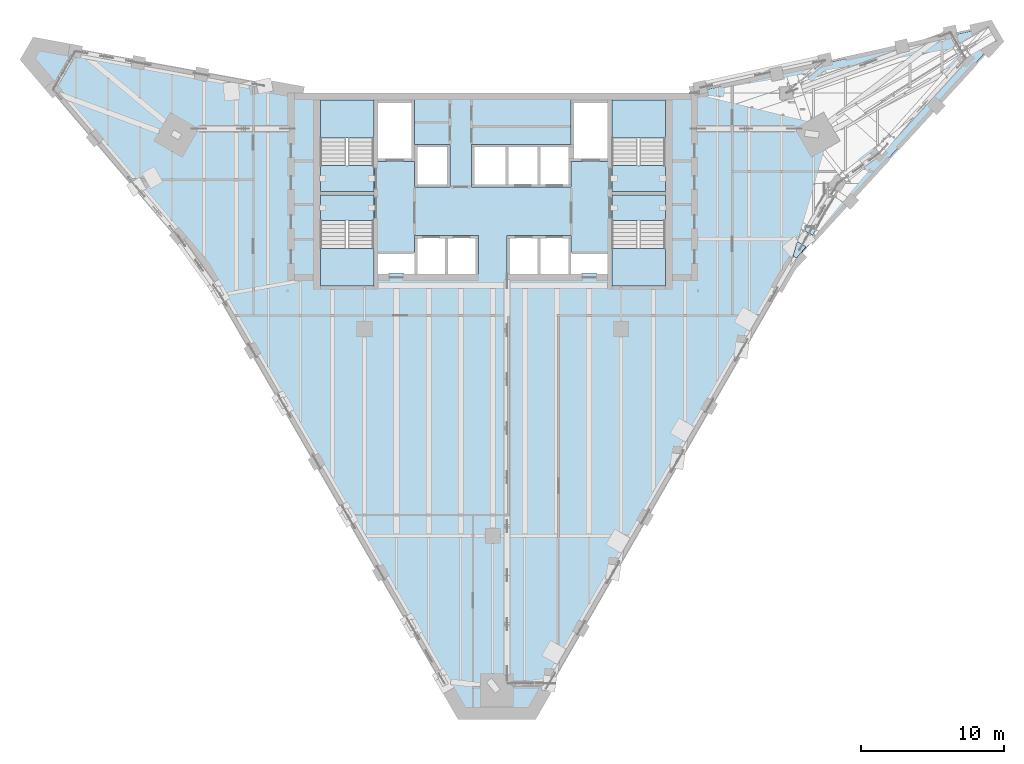
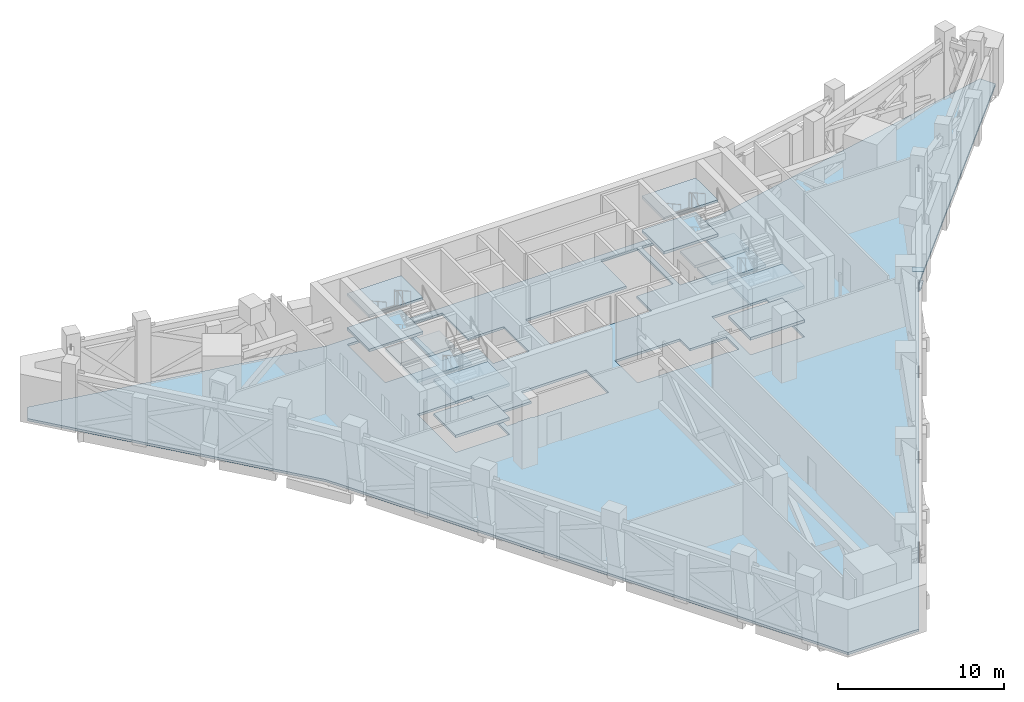
# One storey, part 7 of 23: 13 slabs, 2 plates, 4 elements without a shape of their own.
"""IFC4 building model written with IfcOpenShell, lengths in metres."""

import ifcopenshell
import ifcopenshell.guid

model = None  # the IFC model being written
_history = None  # IfcOwnerHistory: only IFC2X3 demands one
_inside = {}  # id of a spatial element -> (the spatial element, [elements in it])
_under = {}  # id of a project, library or spatial element -> (it, [spatial elements below it])
_declared = {}  # id of a project -> (the project, [libraries it declares])
_typed = {}  # id of a type object -> (the type object, [elements of that type])
_made_of = {}  # id of a material, layer set ... -> (it, [elements and type objects made of it])


def new_model(schema):
    """Start an empty IFC model of exactly this schema.

    Asked for "IFC4X3", IfcOpenShell would pick the latest addendum, in which some entities
    have other attributes; the version numbers below select the first issue.
    IFC2X3 requires an IfcOwnerHistory on every rooted entity: one is made here for all.
    """
    global model, _history
    if schema == "IFC4X3":
        model = ifcopenshell.file(schema_version=(4, 3, 0, 0))
    else:
        model = ifcopenshell.file(schema=schema)
    _inside.clear()
    _under.clear()
    _declared.clear()
    _typed.clear()
    _made_of.clear()
    _history = None
    if model.schema == "IFC2X3":
        org = make("IfcOrganization", Name="unknown")
        user = make(
            "IfcPersonAndOrganization",
            ThePerson=make("IfcPerson", FamilyName="unknown"),
            TheOrganization=org,
        )
        app = make(
            "IfcApplication",
            ApplicationDeveloper=org,
            Version="unknown",
            ApplicationFullName="unknown",
            ApplicationIdentifier="unknown",
        )
        _history = make(
            "IfcOwnerHistory",
            OwningUser=user,
            OwningApplication=app,
            ChangeAction="ADDED",
            CreationDate=0,
        )
    return model


def make(cls, **values):
    """One entity of the class cls with the attributes given. An attribute that is None is left unset."""
    return model.create_entity(
        cls, **{name: value for name, value in values.items() if value is not None}
    )


def rooted(cls, **values):
    """An entity with a GlobalId (a new one), such as an element, a storey or a relation."""
    return make(cls, GlobalId=ifcopenshell.guid.new(), OwnerHistory=_history, **values)


def si_unit(unit_type, name, prefix=None):
    """IfcSIUnit, for example si_unit("LENGTHUNIT", "METRE", prefix="MILLI")."""
    return make("IfcSIUnit", UnitType=unit_type, Prefix=prefix, Name=name)


def assignment(units):
    """IfcUnitAssignment: the units of a project."""
    return None if units is None else make("IfcUnitAssignment", Units=units)


def point(xyz):
    """IfcCartesianPoint."""
    return None if xyz is None else make("IfcCartesianPoint", Coordinates=xyz)


def direction(xyz):
    """IfcDirection."""
    return None if xyz is None else make("IfcDirection", DirectionRatios=xyz)


def frame(location, z_axis=None, x_axis=None):
    """IfcAxis2Placement3D, a coordinate frame: its origin and axes. An axis left out is left unset."""
    return make(
        "IfcAxis2Placement3D",
        Location=point(location),
        Axis=direction(z_axis),
        RefDirection=direction(x_axis),
    )


def origin():
    """The frame at (0, 0, 0) with its axes left unset."""
    return frame((0.0, 0.0, 0.0))


def place(relative_to, where):
    """IfcLocalPlacement: puts the frame where relative to a parent placement (None: the world)."""
    return make(
        "IfcLocalPlacement", PlacementRelTo=relative_to, RelativePlacement=where
    )


def context(
    kind, dimensions, precision=None, world=None, true_north=None, identifier=None
):
    """IfcGeometricRepresentationContext, for example the 3D "Model" context."""
    return make(
        "IfcGeometricRepresentationContext",
        ContextIdentifier=identifier,
        ContextType=kind,
        CoordinateSpaceDimension=dimensions,
        Precision=precision,
        WorldCoordinateSystem=world,
        TrueNorth=true_north,
    )


def subcontext(parent, identifier, kind, view, scale=None):
    """IfcGeometricRepresentationSubContext, for example "Body" below "Model"."""
    return make(
        "IfcGeometricRepresentationSubContext",
        ContextIdentifier=identifier,
        ContextType=kind,
        ParentContext=parent,
        TargetScale=scale,
        TargetView=view,
    )


def project(units=None, contexts=None):
    """IfcProject with its units and contexts."""
    return rooted(
        "IfcProject",
        Name="project",
        RepresentationContexts=contexts,
        UnitsInContext=assignment(units),
    )


def spatial(cls, under=None, at=None, **own):
    """A site, building, storey or space (cls), placed at a placement, below another one or the project."""
    s = rooted(cls, ObjectPlacement=at, **own)
    if under is not None:
        _under.setdefault(under.id(), (under, []))[1].append(s)
    return s


def polyline(points):
    """IfcPolyline through the points."""
    return make("IfcPolyline", Points=[point(p) for p in points])


def outline(outer, holes=None, kind="AREA"):
    """IfcArbitraryClosedProfileDef: a profile drawn as a closed curve; with holes, ...WithVoids."""
    if holes is None:
        return make("IfcArbitraryClosedProfileDef", ProfileType=kind, OuterCurve=outer)
    return make(
        "IfcArbitraryProfileDefWithVoids",
        ProfileType=kind,
        OuterCurve=outer,
        InnerCurves=holes,
    )


def extrude(swept, where, along, depth):
    """IfcExtrudedAreaSolid: the profile swept, set in the frame where, extruded along a direction by depth."""
    return make(
        "IfcExtrudedAreaSolid",
        SweptArea=swept,
        Position=where,
        ExtrudedDirection=direction(along),
        Depth=depth,
    )


def shape(context_of_items, identifier, shape_type, items):
    """IfcShapeRepresentation: the items that make up one representation, for example the "Body"."""
    return make(
        "IfcShapeRepresentation",
        ContextOfItems=context_of_items,
        RepresentationIdentifier=identifier,
        RepresentationType=shape_type,
        Items=items,
    )


def material(Name=None, Category=None):
    """IfcMaterial."""
    return make("IfcMaterial", Name=Name, Category=Category)


def layer(
    of_material, thickness, ventilated=None, Name=None, Category=None, Priority=None
):
    """IfcMaterialLayer: one layer of a wall or slab, of a material (None: an air gap)."""
    return make(
        "IfcMaterialLayer",
        Material=of_material,
        LayerThickness=thickness,
        IsVentilated=ventilated,
        Name=Name,
        Category=Category,
        Priority=Priority,
    )


def layer_set(layers, Name=None):
    """IfcMaterialLayerSet."""
    return make("IfcMaterialLayerSet", MaterialLayers=layers, LayerSetName=Name)


def made_of(thing, what):
    """Note that an element or type object is made of a material, layer set ...; save() writes the relation."""
    if what is not None:
        _made_of.setdefault(what.id(), (what, []))[1].append(thing)
    return thing


def type_object(cls, material=None, **own):
    """A type object (cls), such as IfcWallType, which elements share."""
    return made_of(rooted(cls, **own), material)


def element(
    cls,
    number,
    at=None,
    inside=None,
    cuts=None,
    type_object=None,
    material=None,
    context=None,
    identifier="Body",
    shape_type=None,
    held_by="IfcProductDefinitionShape",
    body=None,
    shapes=None,
    **own,
):
    """One element of the class cls, such as IfcWall. Its Tag is "e" and its number.

    at: its placement. inside: the storey or other place that contains it. cuts: it is an
    opening in that element (IfcRelVoidsElement). A single representation is given by context,
    identifier, shape_type and body (its items); several are given by shapes. held_by: the class
    of the entity that holds the representations. save() writes the other relations.
    """
    e = rooted(cls, Tag="e%d" % number, ObjectPlacement=at, **own)
    if body is not None:
        shapes = [shape(context, identifier, shape_type, body)]
    if shapes is not None:
        e.Representation = make(held_by, Representations=shapes)
    if inside is not None:
        _inside.setdefault(inside.id(), (inside, []))[1].append(e)
    if cuts is not None:
        rooted(
            "IfcRelVoidsElement", RelatingBuildingElement=cuts, RelatedOpeningElement=e
        )
    if type_object is not None:
        _typed.setdefault(type_object.id(), (type_object, []))[1].append(e)
    return made_of(e, material)


def aggregate(whole, parts):
    """IfcRelAggregates: a whole, such as a stair, and the parts it consists of."""
    return rooted("IfcRelAggregates", RelatingObject=whole, RelatedObjects=parts)


def save(model, path):
    """Write the relations noted so far, then the file.

    IfcRelAggregates (storeys below a building ...), IfcRelContainedInSpatialStructure (elements
    in a storey), IfcRelDefinesByType, IfcRelAssociatesMaterial and IfcRelDeclares: one each for
    every whole, place, type object, material and project.
    """
    for whole, parts in _under.values():
        aggregate(whole, parts)
    for where, things in _inside.values():
        rooted(
            "IfcRelContainedInSpatialStructure",
            RelatedElements=things,
            RelatingStructure=where,
        )
    for kind, things in _typed.values():
        rooted("IfcRelDefinesByType", RelatedObjects=things, RelatingType=kind)
    for what, things in _made_of.values():
        rooted("IfcRelAssociatesMaterial", RelatedObjects=things, RelatingMaterial=what)
    for by, libraries in _declared.values():
        rooted("IfcRelDeclares", RelatingContext=by, RelatedDefinitions=libraries)
    model.write(path)


model = new_model("IFC4")

# Units and contexts
model_context = context("Model", 3, precision=1e-05, world=origin(), true_north=direction((0.0, 1.0)))
body_context = subcontext(model_context, "Body", "Model", "MODEL_VIEW")
ifc_project = project(units=[si_unit("LENGTHUNIT", "METRE"), si_unit("AREAUNIT", "SQUARE_METRE"), si_unit("VOLUMEUNIT", "CUBIC_METRE"), si_unit("PLANEANGLEUNIT", "RADIAN"), si_unit("MASSUNIT", "GRAM", prefix="KILO")], contexts=[model_context])

# Site, building, storey
site_placement = place(None, origin())
site = spatial("IfcSite", under=ifc_project, at=site_placement, CompositionType="ELEMENT")
building_placement = place(site_placement, origin())
building = spatial("IfcBuilding", under=site, at=building_placement, Name="Calabash Gate Tower", CompositionType="ELEMENT")
storey_placement = place(building_placement, frame((0.0, 0.0, 243.199951171875)))
storey = spatial("IfcBuildingStorey", under=building, at=storey_placement, Name="L58", CompositionType="ELEMENT", Elevation=243.199951171875)

# Slab
ifc_material_1 = material(Name="Concrete C40/50", Category="concrete")
ifc_layer_1 = layer(ifc_material_1, 0.169921875)
ifc_layer_set_1 = layer_set([ifc_layer_1], Name="Composite floor slab 170 Concrete C40/50")
slab_type_1 = type_object("IfcSlabType", Name="Composite floor slab 170 Concrete C40/50", PredefinedType="FLOOR", material=ifc_layer_set_1)
slab_1_placement = place(storey_placement, frame((0.0, 0.0, -0.169921875)))
element("IfcSlab", 1, at=slab_1_placement, inside=storey, type_object=slab_type_1, Name="Floor slab L58", PredefinedType="FLOOR", context=body_context, shape_type="SweptSolid", body=[
    extrude(outline(polyline([(35.303955078125, 22.724365234375), (20.8583984375, 6.92822265625), (2.740478515625, -24.452880859375), (-2.173095703125, -24.452880859375), (-20.291015625, 6.92822265625), (-32.620361328125, 21.43115234375), (-32.015625, 22.478515625), (-13.291015625, 19.052490234375), (13.8583984375, 19.052490234375), (34.7607421875, 23.664794921875), (35.303955078125, 22.724365234375)]), holes=[polyline([(-1.0, 9.052490234375), (-3.25, 9.052490234375), (-5.5, 9.052490234375), (-5.5, 7.8525390625), (-8.050048828125, 7.8525390625), (-8.050048828125, 6.3525390625), (-7.324951171875, 6.3525390625), (-7.324951171875, 6.402587890625), (-6.22509765625, 6.402587890625), (-6.22509765625, 6.3525390625), (-5.5, 6.3525390625), (-3.25, 6.3525390625), (-1.0, 6.3525390625), (-1.0, 9.052490234375)]), polyline([(3.25, 6.3525390625), (5.5, 6.3525390625), (6.22509765625, 6.3525390625), (6.22509765625, 6.402587890625), (7.324951171875, 6.402587890625), (7.324951171875, 6.3525390625), (8.050048828125, 6.3525390625), (8.050048828125, 7.8525390625), (5.5, 7.8525390625), (5.5, 9.052490234375), (3.25, 9.052490234375), (1.0, 9.052490234375), (1.0, 6.3525390625), (3.25, 6.3525390625)]), polyline([(-5.5, 14.252685546875), (-5.5, 12.45263671875), (-3.0, 12.45263671875), (-3.0, 15.45263671875), (-5.5, 15.45263671875), (-5.5, 18.552490234375), (-8.050048828125, 18.552490234375), (-8.050048828125, 14.252685546875), (-5.5, 14.252685546875)]), polyline([(1.0, 15.45263671875), (-1.5, 15.45263671875), (-1.5, 12.45263671875), (1.0, 12.45263671875), (3.25, 12.45263671875), (5.5, 12.45263671875), (5.5, 14.252685546875), (8.050048828125, 14.252685546875), (8.050048828125, 18.552490234375), (5.5, 18.552490234375), (5.5, 15.45263671875), (3.25, 15.45263671875), (1.0, 15.45263671875)]), polyline([(-8.35009765625, 18.552490234375), (-12.10009765625, 18.552490234375), (-12.10009765625, 13.95263671875), (-8.35009765625, 13.95263671875), (-8.35009765625, 18.552490234375)]), polyline([(-12.10009765625, 10.1025390625), (-12.10009765625, 5.502685546875), (-8.35009765625, 5.502685546875), (-8.35009765625, 10.1025390625), (-12.10009765625, 10.1025390625)]), polyline([(8.35009765625, 13.95263671875), (12.10009765625, 13.95263671875), (12.10009765625, 18.552490234375), (8.35009765625, 18.552490234375), (8.35009765625, 13.95263671875)]), polyline([(12.10009765625, 5.502685546875), (12.10009765625, 10.1025390625), (8.35009765625, 10.1025390625), (8.35009765625, 5.502685546875), (12.10009765625, 5.502685546875)])]), origin(), (0.0, 0.0, 1.0), 0.169921875),
])

# Plates
ifc_material_2 = material(Name="Dark bronze anodised aluminium panel", Category="aluminium")
ifc_layer_2 = layer(ifc_material_2, 0.030029296875)
ifc_layer_set_2 = layer_set([ifc_layer_2], Name="Dark soffit panel plate 30")
plate_type = type_object("IfcPlateType", Name="Dark soffit panel plate 30", PredefinedType="SHEET", material=ifc_layer_set_2)
plate_1_placement = place(storey_placement, frame((21.320068359375, 8.514892578125, -0.971923828125), z_axis=(0.024040562691, -0.018828475245, 0.999533661197), x_axis=(0.509577080433, 0.860415936402, 0.003951643216)))
element("IfcPlate", 2, at=plate_1_placement, inside=storey, type_object=plate_type, Name="Dark soffit panel SOF-Z5-NE-29", PredefinedType="SHEET", context=body_context, shape_type="SweptSolid", body=[
    extrude(outline(polyline([(0.0, 0.0), (0.119873046875, 0.0), (0.118408203125, -0.6865234375), (-0.91162109375, -0.521240234375), (-0.910888671875, -0.233642578125), (0.0, 0.0)])), origin(), (0.0, 0.0, -1.0), 0.030029296875),
])
plate_2_placement = place(storey_placement, frame((21.8349609375, 9.403076171875, -0.968017578125), z_axis=(0.024332802343, -0.018101064443, 0.999540027311), x_axis=(0.474841825907, 0.880060267912, 0.004377809002)))
element("IfcPlate", 3, at=plate_2_placement, inside=storey, type_object=plate_type, Name="Dark soffit panel SOF-Z5-NE-39", PredefinedType="SHEET", context=body_context, shape_type="SweptSolid", body=[
    extrude(outline(polyline([(0.0, 0.0), (0.448974609375, 0.0), (0.448974609375, -0.699951171875), (-0.000244140625, -0.69921875), (0.0, 0.0)])), origin(), (0.0, 0.0, -1.0), 0.030029296875),
])

# Stair, slabs
ifc_material_3 = material(Name="Concrete C40/50", Category="concrete")
stair_type = type_object("IfcStairType", Name="Exit stair 32 risers of 156.2 mm", PredefinedType="HALF_TURN_STAIR", material=ifc_material_3)
stair_1_placement = place(storey_placement, origin())
stair_1 = element("IfcStair", 4, at=stair_1_placement, inside=storey, type_object=stair_type, Name="L58 Exit stair ST1", PredefinedType="HALF_TURN_STAIR")
ifc_material_4 = material(Name="Concrete C40/50", Category="concrete")
ifc_layer_3 = layer(ifc_material_4, 0.199951171875)
ifc_layer_set_3 = layer_set([ifc_layer_3], Name="Stair landing SL200")
slab_type_2 = type_object("IfcSlabType", Name="Stair landing SL200", PredefinedType="LANDING", material=ifc_layer_set_3)
slab_2_placement = place(storey_placement, frame((0.0, 0.0, 1.050048828125)))
slab_2 = element("IfcSlab", 5, at=slab_2_placement, type_object=slab_type_2, Name="ST1 landing 1", PredefinedType="LANDING", context=body_context, shape_type="SweptSolid", body=[
    extrude(outline(polyline([(-8.35009765625, 15.905517578125), (-8.35009765625, 18.552490234375), (-12.10009765625, 18.552490234375), (-12.10009765625, 15.905517578125), (-8.35009765625, 15.905517578125)])), origin(), (0.0, 0.0, 1.0), 0.199951171875),
])
slab_3_placement = place(storey_placement, frame((0.0, 0.0, 2.300048828125)))
slab_3 = element("IfcSlab", 6, at=slab_3_placement, type_object=slab_type_2, Name="ST1 landing 2", PredefinedType="LANDING", context=body_context, shape_type="SweptSolid", body=[
    extrude(outline(polyline([(-8.35009765625, 12.152587890625), (-8.35009765625, 13.95263671875), (-12.10009765625, 13.95263671875), (-12.10009765625, 12.152587890625), (-8.35009765625, 12.152587890625)])), origin(), (0.0, 0.0, 1.0), 0.199951171875),
])
slab_4_placement = place(storey_placement, frame((0.0, 0.0, 3.550048828125)))
slab_4 = element("IfcSlab", 7, at=slab_4_placement, type_object=slab_type_2, Name="ST1 landing 3", PredefinedType="LANDING", context=body_context, shape_type="SweptSolid", body=[
    extrude(outline(polyline([(-8.35009765625, 15.905517578125), (-8.35009765625, 18.552490234375), (-12.10009765625, 18.552490234375), (-12.10009765625, 15.905517578125), (-8.35009765625, 15.905517578125)])), origin(), (0.0, 0.0, 1.0), 0.199951171875),
])
aggregate(stair_1, [slab_2, slab_3, slab_4])

stair_2_placement = place(storey_placement, origin())
stair_2 = element("IfcStair", 8, at=stair_2_placement, inside=storey, type_object=stair_type, Name="L58 Exit stair ST2", PredefinedType="HALF_TURN_STAIR")
slab_5_placement = place(storey_placement, frame((0.0, 0.0, 1.050048828125)))
slab_5 = element("IfcSlab", 9, at=slab_5_placement, type_object=slab_type_2, Name="ST2 landing 1", PredefinedType="LANDING", context=body_context, shape_type="SweptSolid", body=[
    extrude(outline(polyline([(-12.10009765625, 8.149658203125), (-12.10009765625, 5.502685546875), (-8.35009765625, 5.502685546875), (-8.35009765625, 8.149658203125), (-12.10009765625, 8.149658203125)])), origin(), (0.0, 0.0, 1.0), 0.199951171875),
])
slab_6_placement = place(storey_placement, frame((0.0, 0.0, 2.300048828125)))
slab_6 = element("IfcSlab", 10, at=slab_6_placement, type_object=slab_type_2, Name="ST2 landing 2", PredefinedType="LANDING", context=body_context, shape_type="SweptSolid", body=[
    extrude(outline(polyline([(-12.10009765625, 11.902587890625), (-12.10009765625, 10.1025390625), (-8.35009765625, 10.1025390625), (-8.35009765625, 11.902587890625), (-12.10009765625, 11.902587890625)])), origin(), (0.0, 0.0, 1.0), 0.199951171875),
])
slab_7_placement = place(storey_placement, frame((0.0, 0.0, 3.550048828125)))
slab_7 = element("IfcSlab", 11, at=slab_7_placement, type_object=slab_type_2, Name="ST2 landing 3", PredefinedType="LANDING", context=body_context, shape_type="SweptSolid", body=[
    extrude(outline(polyline([(-12.10009765625, 8.149658203125), (-12.10009765625, 5.502685546875), (-8.35009765625, 5.502685546875), (-8.35009765625, 8.149658203125), (-12.10009765625, 8.149658203125)])), origin(), (0.0, 0.0, 1.0), 0.199951171875),
])
aggregate(stair_2, [slab_5, slab_6, slab_7])

stair_3_placement = place(storey_placement, origin())
stair_3 = element("IfcStair", 12, at=stair_3_placement, inside=storey, type_object=stair_type, Name="L58 Exit stair ST3", PredefinedType="HALF_TURN_STAIR")
slab_8_placement = place(storey_placement, frame((0.0, 0.0, 1.050048828125)))
slab_8 = element("IfcSlab", 13, at=slab_8_placement, type_object=slab_type_2, Name="ST3 landing 1", PredefinedType="LANDING", context=body_context, shape_type="SweptSolid", body=[
    extrude(outline(polyline([(12.10009765625, 15.905517578125), (12.10009765625, 18.552490234375), (8.35009765625, 18.552490234375), (8.35009765625, 15.905517578125), (12.10009765625, 15.905517578125)])), origin(), (0.0, 0.0, 1.0), 0.199951171875),
])
slab_9_placement = place(storey_placement, frame((0.0, 0.0, 2.300048828125)))
slab_9 = element("IfcSlab", 14, at=slab_9_placement, type_object=slab_type_2, Name="ST3 landing 2", PredefinedType="LANDING", context=body_context, shape_type="SweptSolid", body=[
    extrude(outline(polyline([(12.10009765625, 12.152587890625), (12.10009765625, 13.95263671875), (8.35009765625, 13.95263671875), (8.35009765625, 12.152587890625), (12.10009765625, 12.152587890625)])), origin(), (0.0, 0.0, 1.0), 0.199951171875),
])
slab_10_placement = place(storey_placement, frame((0.0, 0.0, 3.550048828125)))
slab_10 = element("IfcSlab", 15, at=slab_10_placement, type_object=slab_type_2, Name="ST3 landing 3", PredefinedType="LANDING", context=body_context, shape_type="SweptSolid", body=[
    extrude(outline(polyline([(12.10009765625, 15.905517578125), (12.10009765625, 18.552490234375), (8.35009765625, 18.552490234375), (8.35009765625, 15.905517578125), (12.10009765625, 15.905517578125)])), origin(), (0.0, 0.0, 1.0), 0.199951171875),
])
aggregate(stair_3, [slab_8, slab_9, slab_10])

stair_4_placement = place(storey_placement, origin())
stair_4 = element("IfcStair", 16, at=stair_4_placement, inside=storey, type_object=stair_type, Name="L58 Exit stair ST4", PredefinedType="HALF_TURN_STAIR")
slab_11_placement = place(storey_placement, frame((0.0, 0.0, 1.050048828125)))
slab_11 = element("IfcSlab", 17, at=slab_11_placement, type_object=slab_type_2, Name="ST4 landing 1", PredefinedType="LANDING", context=body_context, shape_type="SweptSolid", body=[
    extrude(outline(polyline([(8.35009765625, 8.149658203125), (8.35009765625, 5.502685546875), (12.10009765625, 5.502685546875), (12.10009765625, 8.149658203125), (8.35009765625, 8.149658203125)])), origin(), (0.0, 0.0, 1.0), 0.199951171875),
])
slab_12_placement = place(storey_placement, frame((0.0, 0.0, 2.300048828125)))
slab_12 = element("IfcSlab", 18, at=slab_12_placement, type_object=slab_type_2, Name="ST4 landing 2", PredefinedType="LANDING", context=body_context, shape_type="SweptSolid", body=[
    extrude(outline(polyline([(8.35009765625, 11.902587890625), (8.35009765625, 10.1025390625), (12.10009765625, 10.1025390625), (12.10009765625, 11.902587890625), (8.35009765625, 11.902587890625)])), origin(), (0.0, 0.0, 1.0), 0.199951171875),
])
slab_13_placement = place(storey_placement, frame((0.0, 0.0, 3.550048828125)))
slab_13 = element("IfcSlab", 19, at=slab_13_placement, type_object=slab_type_2, Name="ST4 landing 3", PredefinedType="LANDING", context=body_context, shape_type="SweptSolid", body=[
    extrude(outline(polyline([(8.35009765625, 8.149658203125), (8.35009765625, 5.502685546875), (12.10009765625, 5.502685546875), (12.10009765625, 8.149658203125), (8.35009765625, 8.149658203125)])), origin(), (0.0, 0.0, 1.0), 0.199951171875),
])
aggregate(stair_4, [slab_11, slab_12, slab_13])

save(model, "model.ifc")
